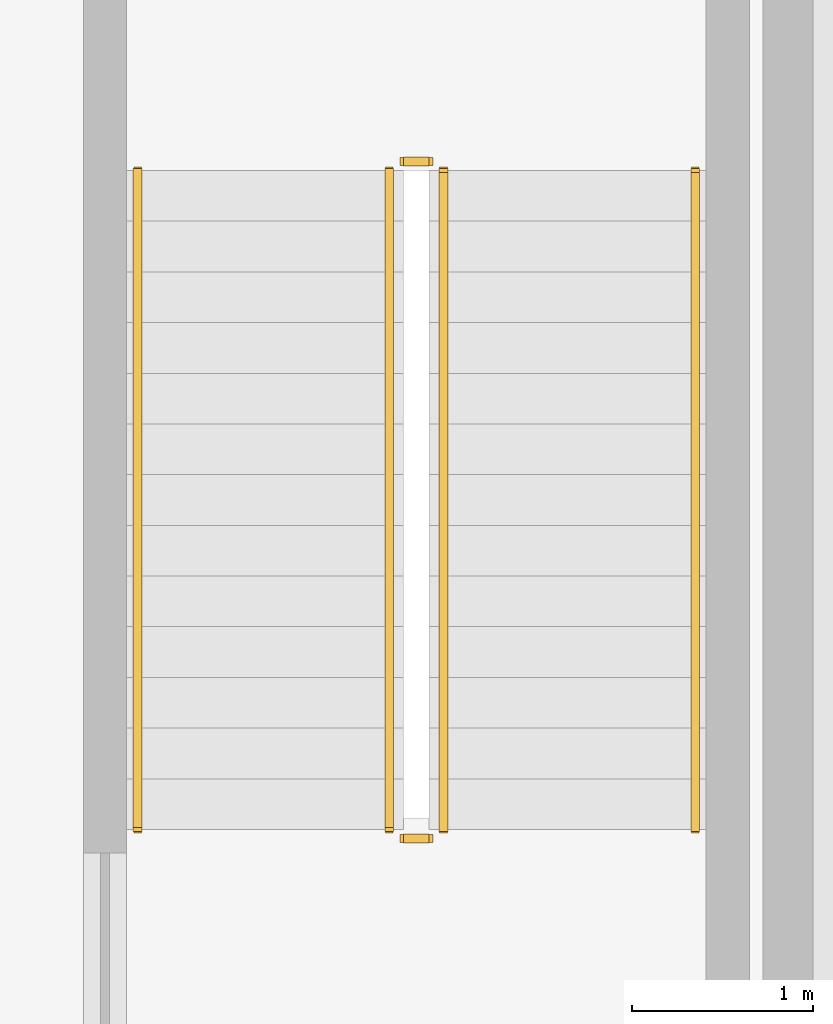
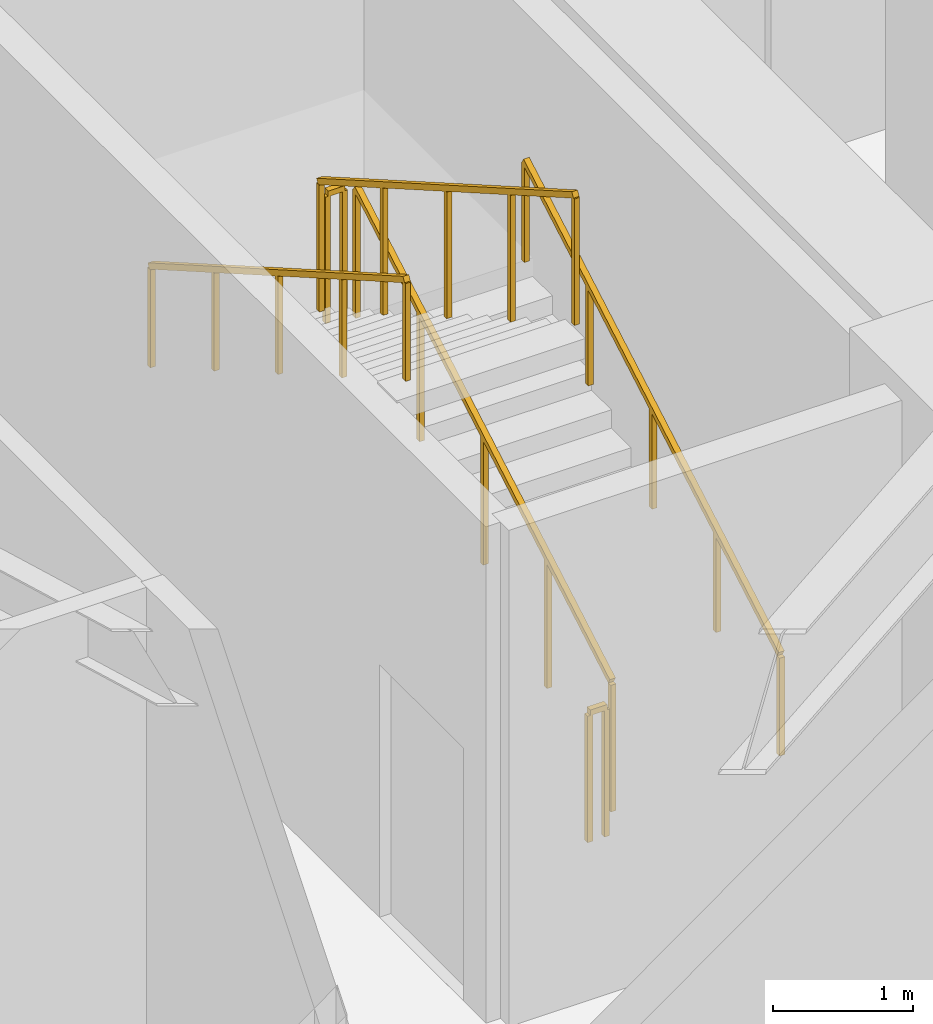
# One storey, part 22 of 25: 6 railings.
"""IFC4 building model written with IfcOpenShell, lengths in metres."""

from ifc_helpers import new_model, si_unit, direction, frame, origin, origin_2d, place, context, subcontext, project, spatial, rectangle, extrude, material, type_object, element, save


model = new_model("IFC4")

# Units and contexts
model_context = context("Model", 3, precision=1e-05, world=origin(), true_north=direction((0.0, 1.0)))
body_context = subcontext(model_context, "Body", "Model", "MODEL_VIEW")
ifc_project = project(units=[si_unit("LENGTHUNIT", "METRE"), si_unit("AREAUNIT", "SQUARE_METRE"), si_unit("VOLUMEUNIT", "CUBIC_METRE"), si_unit("PLANEANGLEUNIT", "RADIAN"), si_unit("MASSUNIT", "GRAM", prefix="KILO")], contexts=[model_context])

# Site, building, storey
site_placement = place(None, origin())
site = spatial("IfcSite", under=ifc_project, at=site_placement, CompositionType="ELEMENT")
building_placement = place(site_placement, origin())
building = spatial("IfcBuilding", under=site, at=building_placement, Name="Liaohun Quay Tower", CompositionType="ELEMENT")
storey_placement = place(building_placement, frame((0.0, 0.0, 47.25)))
storey = spatial("IfcBuildingStorey", under=building, at=storey_placement, Name="L12", CompositionType="ELEMENT", Elevation=47.25)

# Railings
ifc_material_1 = material(Name="Painted tubular steel", Category="steel")
railing_type_1 = type_object("IfcRailingType", Name="RLG-GUARD-STR", PredefinedType="GUARDRAIL", material=ifc_material_1)
railing_1_placement = place(storey_placement, frame((48.81005859375, 48.35009765625, 0.16064453125)))
element("IfcRailing", 1, at=railing_1_placement, inside=storey, type_object=railing_type_1, Name="L12 ST-1 stair guard 1", PredefinedType="GUARDRAIL", context=body_context, shape_type="SweptSolid", body=[
    extrude(rectangle(XDim=0.048095703125, YDim=0.048095703125, at=origin_2d()), frame((0.0, 0.0, 1.1259765625), z_axis=(0.0, 0.8672749571, 0.497829437445), x_axis=(-1.0, 0.0, 0.0)), (0.0, 0.0, 1.0), 4.197021484375),
    extrude(rectangle(XDim=0.0419921875, YDim=0.0419921875, at=origin_2d()), origin(), (0.0, 0.0, 1.0), 1.101806640625),
    extrude(rectangle(XDim=0.0419921875, YDim=0.0419921875, at=origin_2d()), frame((0.0, 0.909912109375, 0.5224609375)), (0.0, 0.0, 1.0), 1.101806640625),
    extrude(rectangle(XDim=0.0419921875, YDim=0.0419921875, at=origin_2d()), frame((0.0, 1.81982421875, 1.044677734375)), (0.0, 0.0, 1.0), 1.101806640625),
    extrude(rectangle(XDim=0.0419921875, YDim=0.0419921875, at=origin_2d()), frame((0.0, 2.72998046875, 1.56689453125)), (0.0, 0.0, 1.0), 1.101806640625),
    extrude(rectangle(XDim=0.0419921875, YDim=0.0419921875, at=origin_2d()), frame((0.0, 3.639892578125, 2.08935546875)), (0.0, 0.0, 1.0), 1.101806640625),
])
railing_2_placement = place(storey_placement, frame((48.72998046875, 52.0400390625, 2.25)))
element("IfcRailing", 2, at=railing_2_placement, inside=storey, type_object=railing_type_1, Name="L12 ST-1 stair guard 2", PredefinedType="GUARDRAIL", context=body_context, shape_type="SweptSolid", body=[
    extrude(rectangle(XDim=0.048095703125, YDim=0.048095703125, at=origin_2d()), frame((0.0, 0.0, 1.1259765625), z_axis=(-1.0, 0.0, 0.0), x_axis=(0.0, -1.0, 0.0)), (0.0, 0.0, 1.0), 0.139892578125),
    extrude(rectangle(XDim=0.0419921875, YDim=0.0419921875, at=origin_2d()), origin(), (0.0, 0.0, 1.0), 1.101806640625),
    extrude(rectangle(XDim=0.0419921875, YDim=0.0419921875, at=origin_2d()), frame((-0.139892578125, 0.0, 0.0)), (0.0, 0.0, 1.0), 1.101806640625),
])
railing_3_placement = place(storey_placement, frame((48.510009765625, 51.989990234375, 2.41064453125)))
element("IfcRailing", 3, at=railing_3_placement, inside=storey, type_object=railing_type_1, Name="L12 ST-1 stair guard 3", PredefinedType="GUARDRAIL", context=body_context, shape_type="SweptSolid", body=[
    extrude(rectangle(XDim=0.048095703125, YDim=0.048095703125, at=origin_2d()), frame((0.0, 0.0, 1.1259765625), z_axis=(0.0, -0.8672749571, 0.497829437445), x_axis=(1.0, 0.0, 0.0)), (0.0, 0.0, 1.0), 4.197021484375),
    extrude(rectangle(XDim=0.0419921875, YDim=0.0419921875, at=origin_2d()), origin(), (0.0, 0.0, 1.0), 1.101806640625),
    extrude(rectangle(XDim=0.0419921875, YDim=0.0419921875, at=origin_2d()), frame((0.0, -0.909912109375, 0.5224609375)), (0.0, 0.0, 1.0), 1.101806640625),
    extrude(rectangle(XDim=0.0419921875, YDim=0.0419921875, at=origin_2d()), frame((0.0, -1.81982421875, 1.044677734375)), (0.0, 0.0, 1.0), 1.101806640625),
    extrude(rectangle(XDim=0.0419921875, YDim=0.0419921875, at=origin_2d()), frame((0.0, -2.72998046875, 1.56689453125)), (0.0, 0.0, 1.0), 1.101806640625),
    extrude(rectangle(XDim=0.0419921875, YDim=0.0419921875, at=origin_2d()), frame((0.0, -3.639892578125, 2.08935546875)), (0.0, 0.0, 1.0), 1.101806640625),
])
railing_4_placement = place(storey_placement, frame((48.72998046875, 48.300048828125, 0.0)))
element("IfcRailing", 4, at=railing_4_placement, inside=storey, type_object=railing_type_1, Name="L12 ST-1 stair guard 4", PredefinedType="GUARDRAIL", context=body_context, shape_type="SweptSolid", body=[
    extrude(rectangle(XDim=0.048095703125, YDim=0.048095703125, at=origin_2d()), frame((0.0, 0.0, 1.1259765625), z_axis=(-1.0, 0.0, 0.0), x_axis=(0.0, -1.0, 0.0)), (0.0, 0.0, 1.0), 0.139892578125),
    extrude(rectangle(XDim=0.0419921875, YDim=0.0419921875, at=origin_2d()), origin(), (0.0, 0.0, 1.0), 1.101806640625),
    extrude(rectangle(XDim=0.0419921875, YDim=0.0419921875, at=origin_2d()), frame((-0.139892578125, 0.0, 0.0)), (0.0, 0.0, 1.0), 1.101806640625),
])
ifc_material_2 = material(Name="Brushed stainless steel", Category="steel")
railing_type_2 = type_object("IfcRailingType", Name="RLG-HND-STR", PredefinedType="HANDRAIL", material=ifc_material_2)
railing_5_placement = place(storey_placement, frame((50.199951171875, 48.35009765625, 0.16064453125)))
element("IfcRailing", 5, at=railing_5_placement, inside=storey, type_object=railing_type_2, Name="L12 ST-1 stair handrail 1", PredefinedType="HANDRAIL", context=body_context, shape_type="SweptSolid", body=[
    extrude(rectangle(XDim=0.048095703125, YDim=0.048095703125, at=origin_2d()), frame((0.0, 0.0, 0.8759765625), z_axis=(0.0, 0.8672749571, 0.497829437445), x_axis=(-1.0, 0.0, 0.0)), (0.0, 0.0, 1.0), 4.197021484375),
    extrude(rectangle(XDim=0.0419921875, YDim=0.0419921875, at=origin_2d()), origin(), (0.0, 0.0, 1.0), 0.851806640625),
    extrude(rectangle(XDim=0.0419921875, YDim=0.0419921875, at=origin_2d()), frame((0.0, 0.909912109375, 0.5224609375)), (0.0, 0.0, 1.0), 0.851806640625),
    extrude(rectangle(XDim=0.0419921875, YDim=0.0419921875, at=origin_2d()), frame((0.0, 1.81982421875, 1.044677734375)), (0.0, 0.0, 1.0), 0.851806640625),
    extrude(rectangle(XDim=0.0419921875, YDim=0.0419921875, at=origin_2d()), frame((0.0, 2.72998046875, 1.56689453125)), (0.0, 0.0, 1.0), 0.851806640625),
    extrude(rectangle(XDim=0.0419921875, YDim=0.0419921875, at=origin_2d()), frame((0.0, 3.639892578125, 2.08935546875)), (0.0, 0.0, 1.0), 0.851806640625),
])
railing_6_placement = place(storey_placement, frame((47.1201171875, 51.989990234375, 2.41064453125)))
element("IfcRailing", 6, at=railing_6_placement, inside=storey, type_object=railing_type_2, Name="L12 ST-1 stair handrail 2", PredefinedType="HANDRAIL", context=body_context, shape_type="SweptSolid", body=[
    extrude(rectangle(XDim=0.048095703125, YDim=0.048095703125, at=origin_2d()), frame((0.0, 0.0, 0.8759765625), z_axis=(0.0, -0.8672749571, 0.497829437445), x_axis=(1.0, 0.0, 0.0)), (0.0, 0.0, 1.0), 4.197021484375),
    extrude(rectangle(XDim=0.0419921875, YDim=0.0419921875, at=origin_2d()), origin(), (0.0, 0.0, 1.0), 0.851806640625),
    extrude(rectangle(XDim=0.0419921875, YDim=0.0419921875, at=origin_2d()), frame((0.0, -0.909912109375, 0.5224609375)), (0.0, 0.0, 1.0), 0.851806640625),
    extrude(rectangle(XDim=0.0419921875, YDim=0.0419921875, at=origin_2d()), frame((0.0, -1.81982421875, 1.044677734375)), (0.0, 0.0, 1.0), 0.851806640625),
    extrude(rectangle(XDim=0.0419921875, YDim=0.0419921875, at=origin_2d()), frame((0.0, -2.72998046875, 1.56689453125)), (0.0, 0.0, 1.0), 0.851806640625),
    extrude(rectangle(XDim=0.0419921875, YDim=0.0419921875, at=origin_2d()), frame((0.0, -3.639892578125, 2.08935546875)), (0.0, 0.0, 1.0), 0.851806640625),
])

save(model, "model.ifc")
